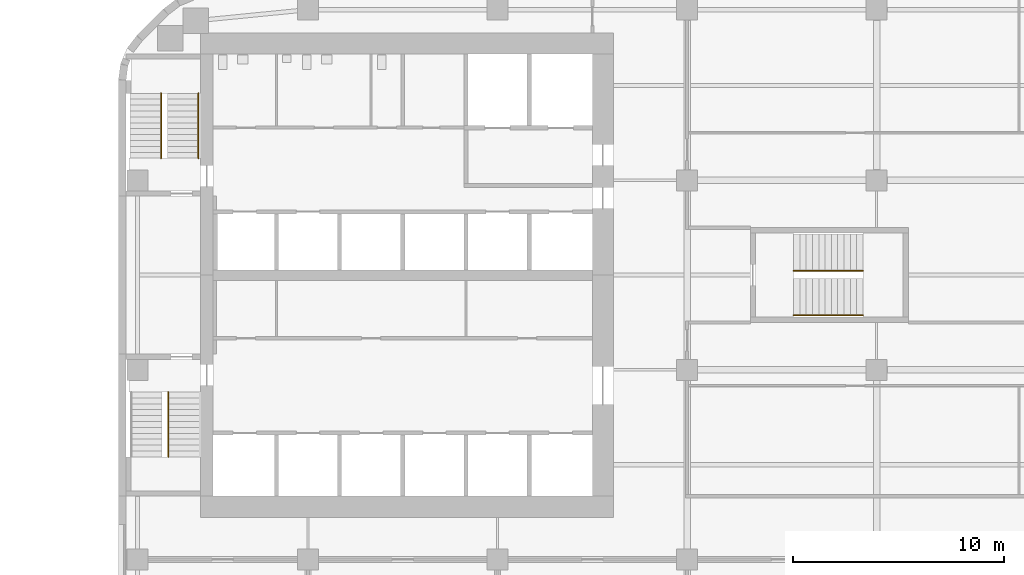
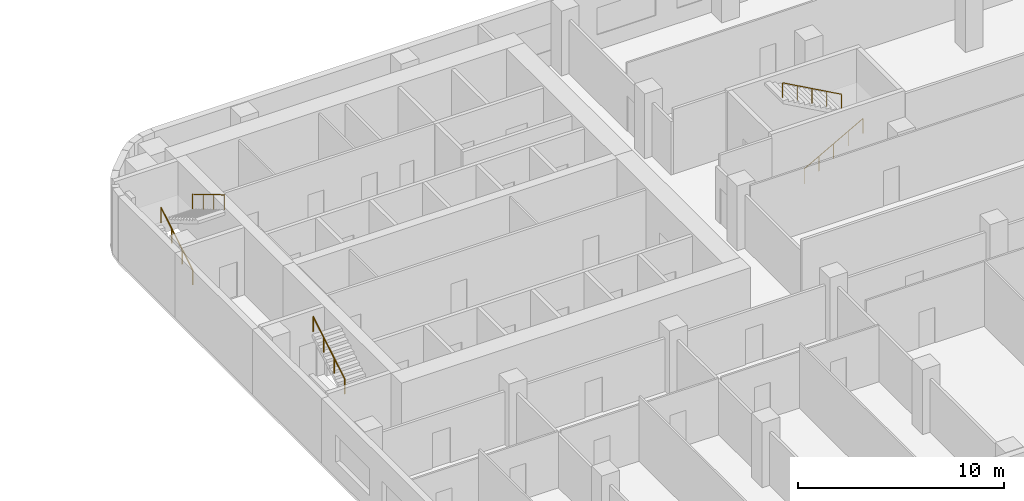
# One storey, part 15 of 16: 5 railings, 3 elements without a shape of their own.
"""IFC4 building model written with IfcOpenShell, lengths in metres."""

from ifc_helpers import new_model, si_unit, direction, frame, origin, origin_2d, place, context, subcontext, project, spatial, circle, extrude, material, type_object, element, aggregate, save


model = new_model("IFC4")

# Units and contexts
model_context = context("Model", 3, precision=1e-05, world=origin(), true_north=direction((0.0, 1.0)))
body_context = subcontext(model_context, "Body", "Model", "MODEL_VIEW")
ifc_project = project(units=[si_unit("LENGTHUNIT", "METRE"), si_unit("AREAUNIT", "SQUARE_METRE"), si_unit("VOLUMEUNIT", "CUBIC_METRE"), si_unit("PLANEANGLEUNIT", "RADIAN"), si_unit("MASSUNIT", "GRAM", prefix="KILO")], contexts=[model_context])

# Site, building, storey
site_placement = place(None, origin())
site = spatial("IfcSite", under=ifc_project, at=site_placement, CompositionType="ELEMENT")
building_placement = place(site_placement, origin())
building = spatial("IfcBuilding", under=site, at=building_placement, Name="Cinnabar Reach Civic Tower", CompositionType="ELEMENT")
storey_placement = place(building_placement, frame((0.0, 0.0, 83.0)))
storey = spatial("IfcBuildingStorey", under=building, at=storey_placement, Name="L19", CompositionType="ELEMENT", Elevation=83.0)

# Stair, railing
ifc_material_1 = material(Name="Concrete C40/50", Category="concrete")
stair_type = type_object("IfcStairType", Name="T1 Exit stair, half-turn", PredefinedType="HALF_TURN_STAIR", material=ifc_material_1)
stair_1_placement = place(storey_placement, origin())
stair_1 = element("IfcStair", 1, at=stair_1_placement, inside=storey, type_object=stair_type, Name="Stair T1-S1", PredefinedType="HALF_TURN_STAIR")
ifc_material_2 = material(Name="Stainless steel tube", Category="steel")
railing_type = type_object("IfcRailingType", Name="T1 Stair handrail, stainless tube 48", PredefinedType="HANDRAIL", material=ifc_material_2)
railing_1_placement = place(storey_placement, frame((2.375, 22.87, 2.1667)))
railing_1 = element("IfcRailing", 2, at=railing_1_placement, type_object=railing_type, Name="T1-S1 handrail 2", PredefinedType="HANDRAIL", context=body_context, shape_type="SweptSolid", body=[
    extrude(circle(Radius=0.024, at=origin_2d()), frame((0.0, 0.0, 0.876), z_axis=(0.0, 0.859296971757, 0.511476992962), x_axis=(-1.0, 0.0, 0.0)), (0.0, 0.0, 1.0), 3.5843),
    extrude(circle(Radius=0.021, at=origin_2d()), origin(), (0.0, 0.0, 1.0), 0.852),
    extrude(circle(Radius=0.021, at=origin_2d()), frame((0.0, 1.0267, 0.6111)), (0.0, 0.0, 1.0), 0.852),
    extrude(circle(Radius=0.021, at=origin_2d()), frame((0.0, 2.0533, 1.2222)), (0.0, 0.0, 1.0), 0.852),
    extrude(circle(Radius=0.021, at=origin_2d()), frame((0.0, 3.08, 1.8333)), (0.0, 0.0, 1.0), 0.852),
])
aggregate(stair_1, [railing_1])

# Stair, railings
stair_2_placement = place(storey_placement, origin())
stair_2 = element("IfcStair", 3, at=stair_2_placement, inside=storey, type_object=stair_type, Name="Stair T1-S2", PredefinedType="HALF_TURN_STAIR")
railing_2_placement = place(storey_placement, frame((2.025, 37.05, 0.1667)))
railing_2 = element("IfcRailing", 4, at=railing_2_placement, type_object=railing_type, Name="T1-S2 handrail 1", PredefinedType="HANDRAIL", context=body_context, shape_type="SweptSolid", body=[
    extrude(circle(Radius=0.024, at=origin_2d()), frame((0.0, 0.0, 0.876), z_axis=(0.0, 0.859296971757, 0.511476992962), x_axis=(-1.0, 0.0, 0.0)), (0.0, 0.0, 1.0), 3.5843),
    extrude(circle(Radius=0.021, at=origin_2d()), origin(), (0.0, 0.0, 1.0), 0.852),
    extrude(circle(Radius=0.021, at=origin_2d()), frame((0.0, 1.0267, 0.6111)), (0.0, 0.0, 1.0), 0.852),
    extrude(circle(Radius=0.021, at=origin_2d()), frame((0.0, 2.0533, 1.2222)), (0.0, 0.0, 1.0), 0.852),
    extrude(circle(Radius=0.021, at=origin_2d()), frame((0.0, 3.08, 1.8333)), (0.0, 0.0, 1.0), 0.852),
])
railing_3_placement = place(storey_placement, frame((3.8, 40.13, 2.1667)))
railing_3 = element("IfcRailing", 5, at=railing_3_placement, type_object=railing_type, Name="T1-S2 handrail 2", PredefinedType="HANDRAIL", context=body_context, shape_type="SweptSolid", body=[
    extrude(circle(Radius=0.024, at=origin_2d()), frame((0.0, 0.0, 0.876), z_axis=(0.0, -0.859296971757, 0.511476992962), x_axis=(1.0, 0.0, 0.0)), (0.0, 0.0, 1.0), 3.5843),
    extrude(circle(Radius=0.021, at=origin_2d()), origin(), (0.0, 0.0, 1.0), 0.852),
    extrude(circle(Radius=0.021, at=origin_2d()), frame((0.0, -1.0267, 0.6111)), (0.0, 0.0, 1.0), 0.852),
    extrude(circle(Radius=0.021, at=origin_2d()), frame((0.0, -2.0533, 1.2222)), (0.0, 0.0, 1.0), 0.852),
    extrude(circle(Radius=0.021, at=origin_2d()), frame((0.0, -3.08, 1.8333)), (0.0, 0.0, 1.0), 0.852),
])
aggregate(stair_2, [railing_2, railing_3])

stair_3_placement = place(storey_placement, origin())
stair_3 = element("IfcStair", 6, at=stair_3_placement, inside=storey, type_object=stair_type, Name="Stair T1-S3", PredefinedType="HALF_TURN_STAIR")
railing_4_placement = place(storey_placement, frame((32.05, 29.6, 0.1667)))
railing_4 = element("IfcRailing", 7, at=railing_4_placement, type_object=railing_type, Name="T1-S3 handrail 1", PredefinedType="HANDRAIL", context=body_context, shape_type="SweptSolid", body=[
    extrude(circle(Radius=0.024, at=origin_2d()), frame((0.0, 0.0, 0.876), z_axis=(0.874161024642, 0.0, 0.485636183781), x_axis=(0.0, 1.0, 0.0)), (0.0, 0.0, 1.0), 3.775),
    extrude(circle(Radius=0.021, at=origin_2d()), origin(), (0.0, 0.0, 1.0), 0.852),
    extrude(circle(Radius=0.021, at=origin_2d()), frame((0.825, 0.0, 0.4583)), (0.0, 0.0, 1.0), 0.852),
    extrude(circle(Radius=0.021, at=origin_2d()), frame((1.65, 0.0, 0.9166)), (0.0, 0.0, 1.0), 0.852),
    extrude(circle(Radius=0.021, at=origin_2d()), frame((2.475, 0.0, 1.375)), (0.0, 0.0, 1.0), 0.852),
    extrude(circle(Radius=0.021, at=origin_2d()), frame((3.3, 0.0, 1.8333)), (0.0, 0.0, 1.0), 0.852),
])
railing_5_placement = place(storey_placement, frame((35.35, 31.7, 2.1667)))
railing_5 = element("IfcRailing", 8, at=railing_5_placement, type_object=railing_type, Name="T1-S3 handrail 2", PredefinedType="HANDRAIL", context=body_context, shape_type="SweptSolid", body=[
    extrude(circle(Radius=0.024, at=origin_2d()), frame((0.0, 0.0, 0.876), z_axis=(-0.874161024642, 0.0, 0.485636183781), x_axis=(0.0, -1.0, 0.0)), (0.0, 0.0, 1.0), 3.775),
    extrude(circle(Radius=0.021, at=origin_2d()), origin(), (0.0, 0.0, 1.0), 0.852),
    extrude(circle(Radius=0.021, at=origin_2d()), frame((-0.825, 0.0, 0.4583)), (0.0, 0.0, 1.0), 0.852),
    extrude(circle(Radius=0.021, at=origin_2d()), frame((-1.65, 0.0, 0.9166)), (0.0, 0.0, 1.0), 0.852),
    extrude(circle(Radius=0.021, at=origin_2d()), frame((-2.475, 0.0, 1.375)), (0.0, 0.0, 1.0), 0.852),
    extrude(circle(Radius=0.021, at=origin_2d()), frame((-3.3, 0.0, 1.8333)), (0.0, 0.0, 1.0), 0.852),
])
aggregate(stair_3, [railing_4, railing_5])

save(model, "model.ifc")
